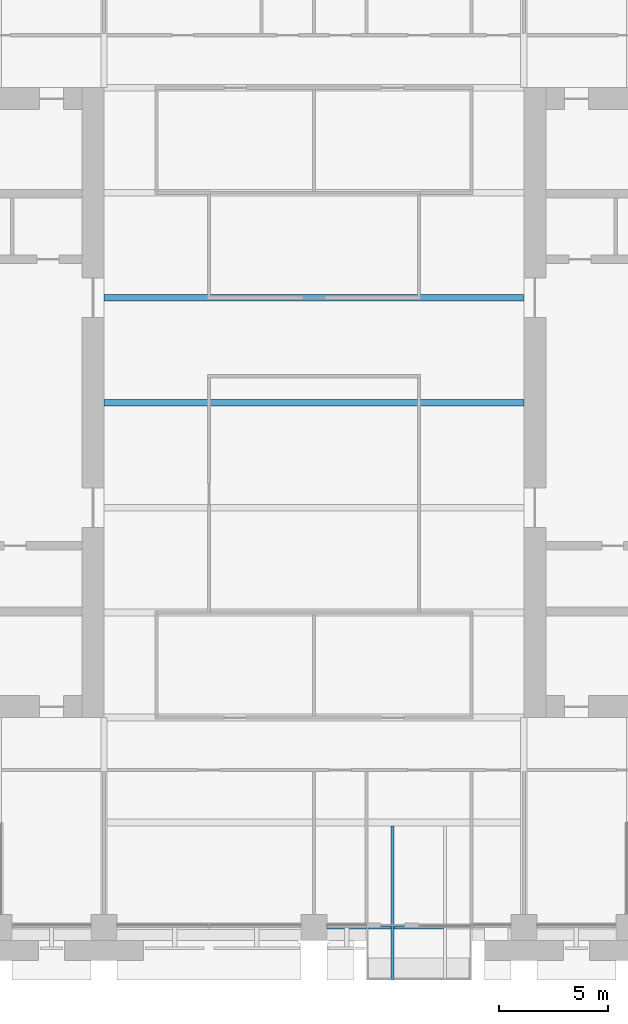
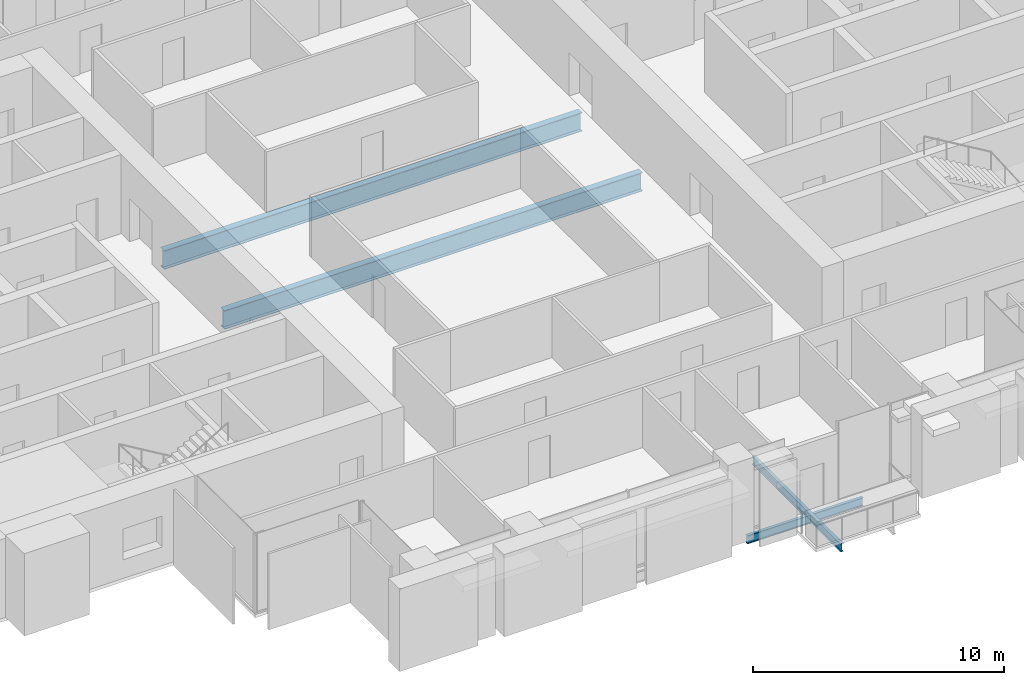
# One storey, part 3 of 15: 5 beams.
"""IFC4 building model written with IfcOpenShell, lengths in metres."""

import ifcopenshell
import ifcopenshell.guid

model = None  # the IFC model being written
_history = None  # IfcOwnerHistory: only IFC2X3 demands one
_inside = {}  # id of a spatial element -> (the spatial element, [elements in it])
_under = {}  # id of a project, library or spatial element -> (it, [spatial elements below it])
_declared = {}  # id of a project -> (the project, [libraries it declares])
_typed = {}  # id of a type object -> (the type object, [elements of that type])
_made_of = {}  # id of a material, layer set ... -> (it, [elements and type objects made of it])


def new_model(schema):
    """Start an empty IFC model of exactly this schema.

    Asked for "IFC4X3", IfcOpenShell would pick the latest addendum, in which some entities
    have other attributes; the version numbers below select the first issue.
    IFC2X3 requires an IfcOwnerHistory on every rooted entity: one is made here for all.
    """
    global model, _history
    if schema == "IFC4X3":
        model = ifcopenshell.file(schema_version=(4, 3, 0, 0))
    else:
        model = ifcopenshell.file(schema=schema)
    _inside.clear()
    _under.clear()
    _declared.clear()
    _typed.clear()
    _made_of.clear()
    _history = None
    if model.schema == "IFC2X3":
        org = make("IfcOrganization", Name="unknown")
        user = make(
            "IfcPersonAndOrganization",
            ThePerson=make("IfcPerson", FamilyName="unknown"),
            TheOrganization=org,
        )
        app = make(
            "IfcApplication",
            ApplicationDeveloper=org,
            Version="unknown",
            ApplicationFullName="unknown",
            ApplicationIdentifier="unknown",
        )
        _history = make(
            "IfcOwnerHistory",
            OwningUser=user,
            OwningApplication=app,
            ChangeAction="ADDED",
            CreationDate=0,
        )
    return model


def make(cls, **values):
    """One entity of the class cls with the attributes given. An attribute that is None is left unset."""
    return model.create_entity(
        cls, **{name: value for name, value in values.items() if value is not None}
    )


def rooted(cls, **values):
    """An entity with a GlobalId (a new one), such as an element, a storey or a relation."""
    return make(cls, GlobalId=ifcopenshell.guid.new(), OwnerHistory=_history, **values)


def si_unit(unit_type, name, prefix=None):
    """IfcSIUnit, for example si_unit("LENGTHUNIT", "METRE", prefix="MILLI")."""
    return make("IfcSIUnit", UnitType=unit_type, Prefix=prefix, Name=name)


def assignment(units):
    """IfcUnitAssignment: the units of a project."""
    return None if units is None else make("IfcUnitAssignment", Units=units)


def point(xyz):
    """IfcCartesianPoint."""
    return None if xyz is None else make("IfcCartesianPoint", Coordinates=xyz)


def direction(xyz):
    """IfcDirection."""
    return None if xyz is None else make("IfcDirection", DirectionRatios=xyz)


def frame(location, z_axis=None, x_axis=None):
    """IfcAxis2Placement3D, a coordinate frame: its origin and axes. An axis left out is left unset."""
    return make(
        "IfcAxis2Placement3D",
        Location=point(location),
        Axis=direction(z_axis),
        RefDirection=direction(x_axis),
    )


def frame_2d(location, x_axis=None):
    """IfcAxis2Placement2D, a coordinate frame in the plane: its origin and x axis."""
    return make(
        "IfcAxis2Placement2D", Location=point(location), RefDirection=direction(x_axis)
    )


def origin():
    """The frame at (0, 0, 0) with its axes left unset."""
    return frame((0.0, 0.0, 0.0))


def origin_2d():
    """The frame at (0, 0) in the plane with its x axis left unset."""
    return frame_2d((0.0, 0.0))


def place(relative_to, where):
    """IfcLocalPlacement: puts the frame where relative to a parent placement (None: the world)."""
    return make(
        "IfcLocalPlacement", PlacementRelTo=relative_to, RelativePlacement=where
    )


def context(
    kind, dimensions, precision=None, world=None, true_north=None, identifier=None
):
    """IfcGeometricRepresentationContext, for example the 3D "Model" context."""
    return make(
        "IfcGeometricRepresentationContext",
        ContextIdentifier=identifier,
        ContextType=kind,
        CoordinateSpaceDimension=dimensions,
        Precision=precision,
        WorldCoordinateSystem=world,
        TrueNorth=true_north,
    )


def subcontext(parent, identifier, kind, view, scale=None):
    """IfcGeometricRepresentationSubContext, for example "Body" below "Model"."""
    return make(
        "IfcGeometricRepresentationSubContext",
        ContextIdentifier=identifier,
        ContextType=kind,
        ParentContext=parent,
        TargetScale=scale,
        TargetView=view,
    )


def project(units=None, contexts=None):
    """IfcProject with its units and contexts."""
    return rooted(
        "IfcProject",
        Name="project",
        RepresentationContexts=contexts,
        UnitsInContext=assignment(units),
    )


def spatial(cls, under=None, at=None, **own):
    """A site, building, storey or space (cls), placed at a placement, below another one or the project."""
    s = rooted(cls, ObjectPlacement=at, **own)
    if under is not None:
        _under.setdefault(under.id(), (under, []))[1].append(s)
    return s


def profile(cls, at=None, kind="AREA", **sizes):
    """A parametric profile (cls). Its sizes go by their IFC names, for example OverallWidth=200.0."""
    return make(cls, ProfileType=kind, Position=at, **sizes)


def i_section(**sizes):
    """IfcIShapeProfileDef."""
    return profile("IfcIShapeProfileDef", **sizes)


def extrude(swept, where, along, depth):
    """IfcExtrudedAreaSolid: the profile swept, set in the frame where, extruded along a direction by depth."""
    return make(
        "IfcExtrudedAreaSolid",
        SweptArea=swept,
        Position=where,
        ExtrudedDirection=direction(along),
        Depth=depth,
    )


def shape(context_of_items, identifier, shape_type, items):
    """IfcShapeRepresentation: the items that make up one representation, for example the "Body"."""
    return make(
        "IfcShapeRepresentation",
        ContextOfItems=context_of_items,
        RepresentationIdentifier=identifier,
        RepresentationType=shape_type,
        Items=items,
    )


def material(Name=None, Category=None):
    """IfcMaterial."""
    return make("IfcMaterial", Name=Name, Category=Category)


def material_profile(
    of_material, cross_section, Name=None, Category=None, Priority=None
):
    """IfcMaterialProfile: a cross section and its material."""
    return make(
        "IfcMaterialProfile",
        Name=Name,
        Material=of_material,
        Profile=cross_section,
        Priority=Priority,
        Category=Category,
    )


def profile_set(profiles, Name=None, composite=None):
    """IfcMaterialProfileSet."""
    return make(
        "IfcMaterialProfileSet",
        Name=Name,
        MaterialProfiles=profiles,
        CompositeProfile=composite,
    )


def made_of(thing, what):
    """Note that an element or type object is made of a material, layer set ...; save() writes the relation."""
    if what is not None:
        _made_of.setdefault(what.id(), (what, []))[1].append(thing)
    return thing


def type_object(cls, material=None, **own):
    """A type object (cls), such as IfcWallType, which elements share."""
    return made_of(rooted(cls, **own), material)


def element(
    cls,
    number,
    at=None,
    inside=None,
    cuts=None,
    type_object=None,
    material=None,
    context=None,
    identifier="Body",
    shape_type=None,
    held_by="IfcProductDefinitionShape",
    body=None,
    shapes=None,
    **own,
):
    """One element of the class cls, such as IfcWall. Its Tag is "e" and its number.

    at: its placement. inside: the storey or other place that contains it. cuts: it is an
    opening in that element (IfcRelVoidsElement). A single representation is given by context,
    identifier, shape_type and body (its items); several are given by shapes. held_by: the class
    of the entity that holds the representations. save() writes the other relations.
    """
    e = rooted(cls, Tag="e%d" % number, ObjectPlacement=at, **own)
    if body is not None:
        shapes = [shape(context, identifier, shape_type, body)]
    if shapes is not None:
        e.Representation = make(held_by, Representations=shapes)
    if inside is not None:
        _inside.setdefault(inside.id(), (inside, []))[1].append(e)
    if cuts is not None:
        rooted(
            "IfcRelVoidsElement", RelatingBuildingElement=cuts, RelatedOpeningElement=e
        )
    if type_object is not None:
        _typed.setdefault(type_object.id(), (type_object, []))[1].append(e)
    return made_of(e, material)


def aggregate(whole, parts):
    """IfcRelAggregates: a whole, such as a stair, and the parts it consists of."""
    return rooted("IfcRelAggregates", RelatingObject=whole, RelatedObjects=parts)


def save(model, path):
    """Write the relations noted so far, then the file.

    IfcRelAggregates (storeys below a building ...), IfcRelContainedInSpatialStructure (elements
    in a storey), IfcRelDefinesByType, IfcRelAssociatesMaterial and IfcRelDeclares: one each for
    every whole, place, type object, material and project.
    """
    for whole, parts in _under.values():
        aggregate(whole, parts)
    for where, things in _inside.values():
        rooted(
            "IfcRelContainedInSpatialStructure",
            RelatedElements=things,
            RelatingStructure=where,
        )
    for kind, things in _typed.values():
        rooted("IfcRelDefinesByType", RelatedObjects=things, RelatingType=kind)
    for what, things in _made_of.values():
        rooted("IfcRelAssociatesMaterial", RelatedObjects=things, RelatingMaterial=what)
    for by, libraries in _declared.values():
        rooted("IfcRelDeclares", RelatingContext=by, RelatedDefinitions=libraries)
    model.write(path)


model = new_model("IFC4")

# Units and contexts
model_context = context("Model", 3, precision=1e-05, world=origin(), true_north=direction((0.0, 1.0)))
body_context = subcontext(model_context, "Body", "Model", "MODEL_VIEW")
ifc_project = project(units=[si_unit("LENGTHUNIT", "METRE"), si_unit("AREAUNIT", "SQUARE_METRE"), si_unit("VOLUMEUNIT", "CUBIC_METRE"), si_unit("PLANEANGLEUNIT", "RADIAN"), si_unit("MASSUNIT", "GRAM", prefix="KILO")], contexts=[model_context])

# Site, building, storey
site_placement = place(None, origin())
site = spatial("IfcSite", under=ifc_project, at=site_placement, CompositionType="ELEMENT")
building_placement = place(site_placement, origin())
building = spatial("IfcBuilding", under=site, at=building_placement, Name="Baori Bourse Tower", CompositionType="ELEMENT")
storey_placement = place(building_placement, frame((0.0, 0.0, 140.10009765625)))
storey = spatial("IfcBuildingStorey", under=building, at=storey_placement, Name="L30", CompositionType="ELEMENT", Elevation=140.10009765625)

# Beams
ifc_material_1 = material(Name="Steel A992 Gr 50", Category="steel")
ifc_material_profile_1 = material_profile(ifc_material_1, i_section(OverallWidth=0.140380859375, OverallDepth=0.40380859375, WebThickness=0.007080078125, FlangeThickness=0.01123046875, at=origin_2d()), Name="W16x31")
ifc_profile_set_1 = profile_set([ifc_material_profile_1], Name="Steel A992 Gr 50")
beam_type_1 = type_object("IfcBeamType", Name="Balcony beam W16x31", PredefinedType="BEAM", material=ifc_profile_set_1)
beam_1_placement = place(storey_placement, frame((32.39990234375, -2.39990234375, -0.362060546875), z_axis=(0.0, 1.0, 0.0), x_axis=(-1.0, 0.0, 0.0)))
element("IfcBeam", 1, at=beam_1_placement, inside=storey, type_object=beam_type_1, Name="Balcony beam L30", PredefinedType="BEAM", context=body_context, shape_type="SweptSolid", body=[
    extrude(i_section(OverallWidth=0.140380859375, OverallDepth=0.40380859375, WebThickness=0.007080078125, FlangeThickness=0.01123046875, at=origin_2d()), origin(), (0.0, 0.0, 1.0), 7.050048828125),
])
ifc_material_2 = material(Name="Steel A992 Gr 50", Category="steel")
ifc_material_profile_2 = material_profile(ifc_material_2, i_section(OverallWidth=0.140380859375, OverallDepth=0.40380859375, WebThickness=0.007080078125, FlangeThickness=0.01123046875, at=origin_2d()), Name="W16x31")
ifc_profile_set_2 = profile_set([ifc_material_profile_2], Name="Steel A992 Gr 50")
beam_type_2 = type_object("IfcBeamType", Name="Edge beam W16x31", PredefinedType="BEAM", material=ifc_profile_set_2)
beam_2_placement = place(storey_placement, frame((29.39990234375, 0.0, -0.362060546875), z_axis=(1.0, 0.0, 0.0), x_axis=(0.0, 1.0, 0.0)))
element("IfcBeam", 2, at=beam_2_placement, inside=storey, type_object=beam_type_2, Name="Edge beam L30", PredefinedType="BEAM", context=body_context, shape_type="SweptSolid", body=[
    extrude(i_section(OverallWidth=0.140380859375, OverallDepth=0.40380859375, WebThickness=0.007080078125, FlangeThickness=0.01123046875, at=origin_2d()), origin(), (0.0, 0.0, 1.0), 2.929931640625),
])
beam_3_placement = place(storey_placement, frame((32.47021484375, 0.0, -0.362060546875), z_axis=(1.0, 0.0, 0.0), x_axis=(0.0, 1.0, 0.0)))
element("IfcBeam", 3, at=beam_3_placement, inside=storey, type_object=beam_type_2, Name="Edge beam L30", PredefinedType="BEAM", context=body_context, shape_type="SweptSolid", body=[
    extrude(i_section(OverallWidth=0.140380859375, OverallDepth=0.40380859375, WebThickness=0.007080078125, FlangeThickness=0.01123046875, at=origin_2d()), origin(), (0.0, 0.0, 1.0), 2.259521484375),
])
ifc_material_3 = material(Name="Steel A992 Gr 50", Category="steel")
ifc_material_profile_3 = material_profile(ifc_material_3, i_section(OverallWidth=0.3046875, OverallDepth=0.904296875, WebThickness=0.01513671875, FlangeThickness=0.02001953125, at=origin_2d()), Name="W36x135")
ifc_profile_set_3 = profile_set([ifc_material_profile_3], Name="Steel A992 Gr 50")
beam_type_3 = type_object("IfcBeamType", Name="Floor beam W36x135", PredefinedType="BEAM", material=ifc_profile_set_3)
for number, where, z_axis, x_axis, name in (
    (4, (19.199951171875, 24.0, -0.6123046875), (1.0, 0.0, 0.0), (0.0, 1.0, 0.0), "Floor beam L30"),
    (5, (19.199951171875, 28.800048828125, -0.6123046875), (1.0, 0.0, 0.0), (0.0, 1.0, 0.0), "Floor beam L30"),
):
    element("IfcBeam", number, at=place(storey_placement, frame(where, z_axis=z_axis, x_axis=x_axis)), inside=storey, type_object=beam_type_3, Name=name, PredefinedType="BEAM", context=body_context, shape_type="SweptSolid", body=[
        extrude(i_section(OverallWidth=0.3046875, OverallDepth=0.904296875, WebThickness=0.01513671875, FlangeThickness=0.02001953125, at=origin_2d()), origin(), (0.0, 0.0, 1.0), 19.199951171875),
    ])

save(model, "model.ifc")
